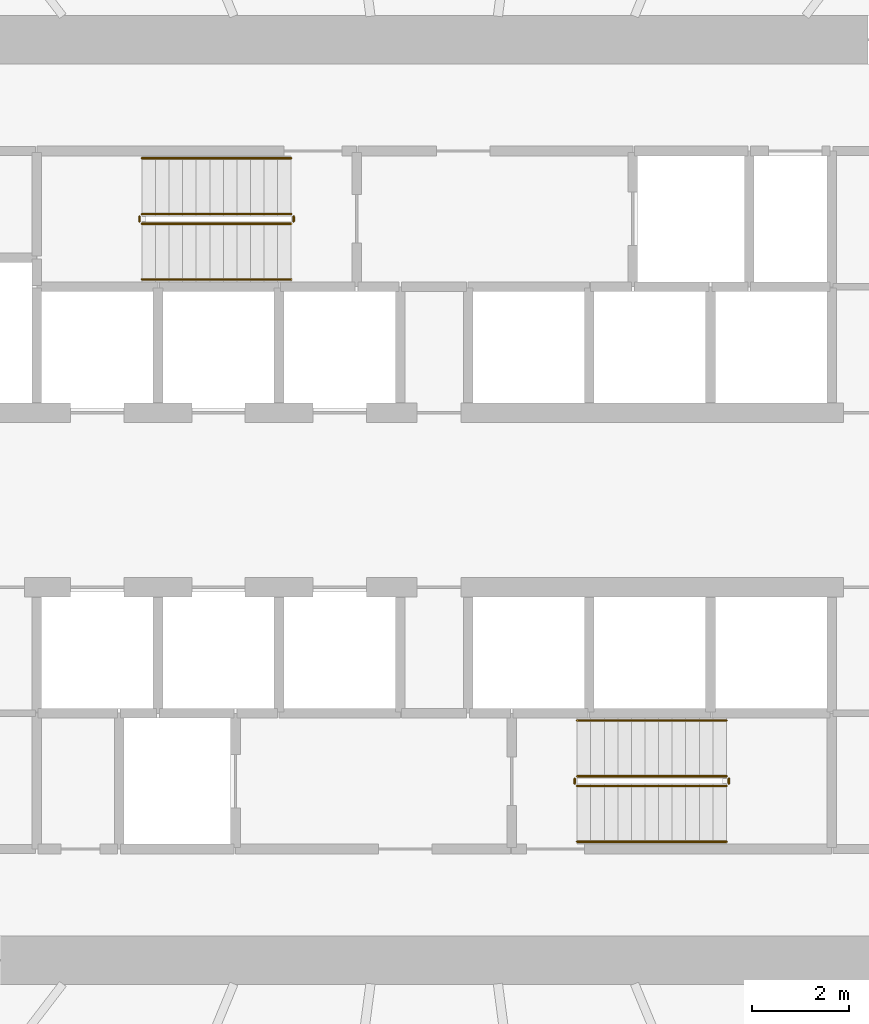
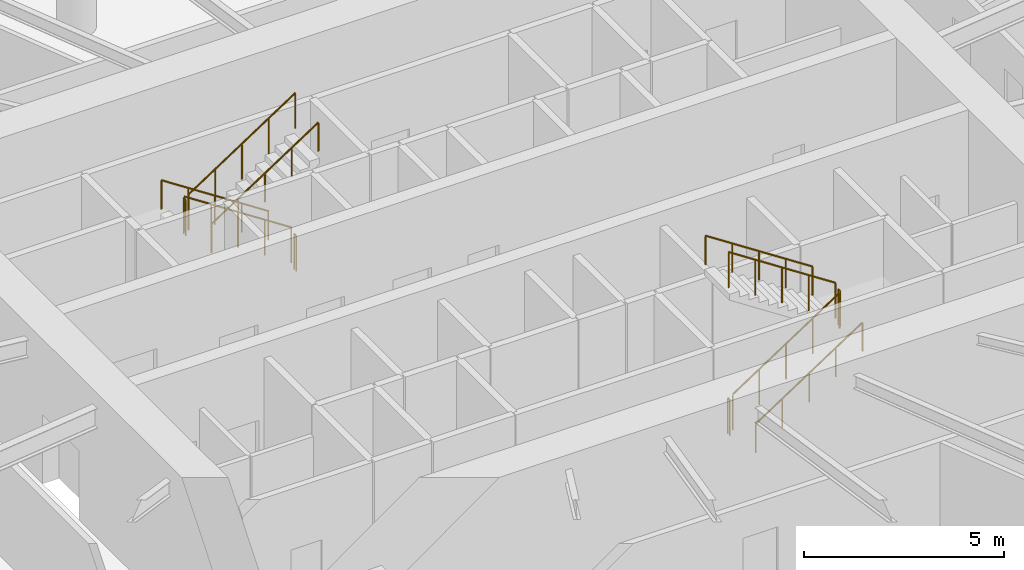
# One storey, part 18 of 19: 12 railings.
"""IFC4 building model written with IfcOpenShell, lengths in metres."""

from ifc_helpers import new_model, si_unit, direction, frame, origin, origin_2d, place, context, subcontext, project, spatial, circle, extrude, material, type_object, element, save


model = new_model("IFC4")

# Units and contexts
model_context = context("Model", 3, precision=1e-05, world=origin(), true_north=direction((0.0, 1.0)))
body_context = subcontext(model_context, "Body", "Model", "MODEL_VIEW")
ifc_project = project(units=[si_unit("LENGTHUNIT", "METRE"), si_unit("AREAUNIT", "SQUARE_METRE"), si_unit("VOLUMEUNIT", "CUBIC_METRE"), si_unit("PLANEANGLEUNIT", "RADIAN"), si_unit("MASSUNIT", "GRAM", prefix="KILO")], contexts=[model_context])

# Site, building, storey
site_placement = place(None, origin())
site = spatial("IfcSite", under=ifc_project, at=site_placement, CompositionType="ELEMENT")
building_placement = place(site_placement, origin())
building = spatial("IfcBuilding", under=site, at=building_placement, Name="Spindrift Exchange Tower", CompositionType="ELEMENT")
storey_placement = place(building_placement, frame((0.0, 0.0, 31.39990234375)))
storey = spatial("IfcBuildingStorey", under=building, at=storey_placement, Name="L07", CompositionType="ELEMENT", Elevation=31.39990234375)

# Railings
ifc_material_1 = material(Name="Steel balustrade", Category="steel")
railing_type_1 = type_object("IfcRailingType", Name="RL-STAIR-GUARD", PredefinedType="GUARDRAIL", material=ifc_material_1)
railing_1_placement = place(storey_placement, frame((49.050048828125, 53.89990234375, 0.183349609375)))
element("IfcRailing", 1, at=railing_1_placement, inside=storey, type_object=railing_type_1, Name="L07 ST1 stair guard 1", PredefinedType="GUARDRAIL", context=body_context, shape_type="SweptSolid", body=[
    extrude(circle(Radius=0.02392578125, at=origin_2d()), frame((0.0, 0.0, 1.076171875), z_axis=(-0.836602609513, 0.0, 0.547810253423), x_axis=(0.0, -1.0, 0.0)), (0.0, 0.0, 1.0), 3.681640625),
    extrude(circle(Radius=0.02099609375, at=origin_2d()), origin(), (0.0, 0.0, 1.0), 1.052001953125),
    extrude(circle(Radius=0.02099609375, at=origin_2d()), frame((-0.77001953125, 0.0, 0.504150390625)), (0.0, 0.0, 1.0), 1.052001953125),
    extrude(circle(Radius=0.02099609375, at=origin_2d()), frame((-1.5400390625, 0.0, 1.00830078125)), (0.0, 0.0, 1.0), 1.052001953125),
    extrude(circle(Radius=0.02099609375, at=origin_2d()), frame((-2.31005859375, 0.0, 1.5126953125)), (0.0, 0.0, 1.0), 1.052001953125),
    extrude(circle(Radius=0.02099609375, at=origin_2d()), frame((-3.080078125, 0.0, 2.016845703125)), (0.0, 0.0, 1.0), 1.052001953125),
])
railing_2_placement = place(storey_placement, frame((45.919921875, 53.85009765625, 2.2001953125)))
element("IfcRailing", 2, at=railing_2_placement, inside=storey, type_object=railing_type_1, Name="L07 ST1 stair guard 2", PredefinedType="GUARDRAIL", context=body_context, shape_type="SweptSolid", body=[
    extrude(circle(Radius=0.02392578125, at=origin_2d()), frame((0.0, 0.0, 1.076171875), z_axis=(0.0, -1.0, 0.0), x_axis=(1.0, 0.0, 0.0)), (0.0, 0.0, 1.0), 0.10009765625),
    extrude(circle(Radius=0.02099609375, at=origin_2d()), origin(), (0.0, 0.0, 1.0), 1.052001953125),
    extrude(circle(Radius=0.02099609375, at=origin_2d()), frame((0.0, -0.10009765625, 0.0)), (0.0, 0.0, 1.0), 1.052001953125),
])
railing_3_placement = place(storey_placement, frame((45.969970703125, 53.699951171875, 2.383544921875)))
element("IfcRailing", 3, at=railing_3_placement, inside=storey, type_object=railing_type_1, Name="L07 ST1 stair guard 3", PredefinedType="GUARDRAIL", context=body_context, shape_type="SweptSolid", body=[
    extrude(circle(Radius=0.02392578125, at=origin_2d()), frame((0.0, 0.0, 1.076171875), z_axis=(0.836633000464, 0.0, 0.547763838287), x_axis=(0.0, 1.0, 0.0)), (0.0, 0.0, 1.0), 3.681396484375),
    extrude(circle(Radius=0.02099609375, at=origin_2d()), origin(), (0.0, 0.0, 1.0), 1.052001953125),
    extrude(circle(Radius=0.02099609375, at=origin_2d()), frame((0.77001953125, 0.0, 0.504150390625)), (0.0, 0.0, 1.0), 1.052001953125),
    extrude(circle(Radius=0.02099609375, at=origin_2d()), frame((1.5400390625, 0.0, 1.00830078125)), (0.0, 0.0, 1.0), 1.052001953125),
    extrude(circle(Radius=0.02099609375, at=origin_2d()), frame((2.31005859375, 0.0, 1.512451171875)), (0.0, 0.0, 1.0), 1.052001953125),
    extrude(circle(Radius=0.02099609375, at=origin_2d()), frame((3.080078125, 0.0, 2.0166015625)), (0.0, 0.0, 1.0), 1.052001953125),
])
railing_4_placement = place(storey_placement, frame((49.10009765625, 53.85009765625, 0.0)))
element("IfcRailing", 4, at=railing_4_placement, inside=storey, type_object=railing_type_1, Name="L07 ST1 stair guard 4", PredefinedType="GUARDRAIL", context=body_context, shape_type="SweptSolid", body=[
    extrude(circle(Radius=0.02392578125, at=origin_2d()), frame((0.0, 0.0, 1.076171875), z_axis=(0.0, -1.0, 0.0), x_axis=(1.0, 0.0, 0.0)), (0.0, 0.0, 1.0), 0.10009765625),
    extrude(circle(Radius=0.02099609375, at=origin_2d()), origin(), (0.0, 0.0, 1.0), 1.052001953125),
    extrude(circle(Radius=0.02099609375, at=origin_2d()), frame((0.0, -0.10009765625, 0.0)), (0.0, 0.0, 1.0), 1.052001953125),
])
railing_5_placement = place(storey_placement, frame((54.949951171875, 42.10009765625, 0.183349609375)))
element("IfcRailing", 5, at=railing_5_placement, inside=storey, type_object=railing_type_1, Name="L07 ST2 stair guard 1", PredefinedType="GUARDRAIL", context=body_context, shape_type="SweptSolid", body=[
    extrude(circle(Radius=0.02392578125, at=origin_2d()), frame((0.0, 0.0, 1.076171875), z_axis=(0.836602609513, 0.0, 0.547810253423), x_axis=(0.0, 1.0, 0.0)), (0.0, 0.0, 1.0), 3.681640625),
    extrude(circle(Radius=0.02099609375, at=origin_2d()), origin(), (0.0, 0.0, 1.0), 1.052001953125),
    extrude(circle(Radius=0.02099609375, at=origin_2d()), frame((0.77001953125, 0.0, 0.504150390625)), (0.0, 0.0, 1.0), 1.052001953125),
    extrude(circle(Radius=0.02099609375, at=origin_2d()), frame((1.5400390625, 0.0, 1.00830078125)), (0.0, 0.0, 1.0), 1.052001953125),
    extrude(circle(Radius=0.02099609375, at=origin_2d()), frame((2.31005859375, 0.0, 1.5126953125)), (0.0, 0.0, 1.0), 1.052001953125),
    extrude(circle(Radius=0.02099609375, at=origin_2d()), frame((3.080078125, 0.0, 2.016845703125)), (0.0, 0.0, 1.0), 1.052001953125),
])
railing_6_placement = place(storey_placement, frame((58.080078125, 42.14990234375, 2.2001953125)))
element("IfcRailing", 6, at=railing_6_placement, inside=storey, type_object=railing_type_1, Name="L07 ST2 stair guard 2", PredefinedType="GUARDRAIL", context=body_context, shape_type="SweptSolid", body=[
    extrude(circle(Radius=0.02392578125, at=origin_2d()), frame((0.0, 0.0, 1.076171875), z_axis=(0.0, 1.0, 0.0), x_axis=(-1.0, 0.0, 0.0)), (0.0, 0.0, 1.0), 0.10009765625),
    extrude(circle(Radius=0.02099609375, at=origin_2d()), origin(), (0.0, 0.0, 1.0), 1.052001953125),
    extrude(circle(Radius=0.02099609375, at=origin_2d()), frame((0.0, 0.10009765625, 0.0)), (0.0, 0.0, 1.0), 1.052001953125),
])
railing_7_placement = place(storey_placement, frame((58.030029296875, 42.300048828125, 2.383544921875)))
element("IfcRailing", 7, at=railing_7_placement, inside=storey, type_object=railing_type_1, Name="L07 ST2 stair guard 3", PredefinedType="GUARDRAIL", context=body_context, shape_type="SweptSolid", body=[
    extrude(circle(Radius=0.02392578125, at=origin_2d()), frame((0.0, 0.0, 1.076171875), z_axis=(-0.836633000464, 0.0, 0.547763838287), x_axis=(0.0, -1.0, 0.0)), (0.0, 0.0, 1.0), 3.681396484375),
    extrude(circle(Radius=0.02099609375, at=origin_2d()), origin(), (0.0, 0.0, 1.0), 1.052001953125),
    extrude(circle(Radius=0.02099609375, at=origin_2d()), frame((-0.77001953125, 0.0, 0.504150390625)), (0.0, 0.0, 1.0), 1.052001953125),
    extrude(circle(Radius=0.02099609375, at=origin_2d()), frame((-1.5400390625, 0.0, 1.00830078125)), (0.0, 0.0, 1.0), 1.052001953125),
    extrude(circle(Radius=0.02099609375, at=origin_2d()), frame((-2.31005859375, 0.0, 1.512451171875)), (0.0, 0.0, 1.0), 1.052001953125),
    extrude(circle(Radius=0.02099609375, at=origin_2d()), frame((-3.080078125, 0.0, 2.0166015625)), (0.0, 0.0, 1.0), 1.052001953125),
])
railing_8_placement = place(storey_placement, frame((54.89990234375, 42.14990234375, 0.0)))
element("IfcRailing", 8, at=railing_8_placement, inside=storey, type_object=railing_type_1, Name="L07 ST2 stair guard 4", PredefinedType="GUARDRAIL", context=body_context, shape_type="SweptSolid", body=[
    extrude(circle(Radius=0.02392578125, at=origin_2d()), frame((0.0, 0.0, 1.076171875), z_axis=(0.0, 1.0, 0.0), x_axis=(-1.0, 0.0, 0.0)), (0.0, 0.0, 1.0), 0.10009765625),
    extrude(circle(Radius=0.02099609375, at=origin_2d()), origin(), (0.0, 0.0, 1.0), 1.052001953125),
    extrude(circle(Radius=0.02099609375, at=origin_2d()), frame((0.0, 0.10009765625, 0.0)), (0.0, 0.0, 1.0), 1.052001953125),
])
ifc_material_2 = material(Name="Steel tubular handrail", Category="steel")
railing_type_2 = type_object("IfcRailingType", Name="RL-STAIR-HAND", PredefinedType="HANDRAIL", material=ifc_material_2)
railing_9_placement = place(storey_placement, frame((49.050048828125, 55.050048828125, 0.183349609375)))
element("IfcRailing", 9, at=railing_9_placement, inside=storey, type_object=railing_type_2, Name="L07 ST1 stair handrail 1", PredefinedType="HANDRAIL", context=body_context, shape_type="SweptSolid", body=[
    extrude(circle(Radius=0.02392578125, at=origin_2d()), frame((0.0, 0.0, 0.8759765625), z_axis=(-0.836602609513, 0.0, 0.547810253423), x_axis=(0.0, -1.0, 0.0)), (0.0, 0.0, 1.0), 3.681640625),
    extrude(circle(Radius=0.02099609375, at=origin_2d()), origin(), (0.0, 0.0, 1.0), 0.851806640625),
    extrude(circle(Radius=0.02099609375, at=origin_2d()), frame((-0.77001953125, 0.0, 0.504150390625)), (0.0, 0.0, 1.0), 0.851806640625),
    extrude(circle(Radius=0.02099609375, at=origin_2d()), frame((-1.5400390625, 0.0, 1.00830078125)), (0.0, 0.0, 1.0), 0.851806640625),
    extrude(circle(Radius=0.02099609375, at=origin_2d()), frame((-2.31005859375, 0.0, 1.5126953125)), (0.0, 0.0, 1.0), 0.851806640625),
    extrude(circle(Radius=0.02099609375, at=origin_2d()), frame((-3.080078125, 0.0, 2.016845703125)), (0.0, 0.0, 1.0), 0.851806640625),
])
railing_10_placement = place(storey_placement, frame((45.969970703125, 52.550048828125, 2.383544921875)))
element("IfcRailing", 10, at=railing_10_placement, inside=storey, type_object=railing_type_2, Name="L07 ST1 stair handrail 2", PredefinedType="HANDRAIL", context=body_context, shape_type="SweptSolid", body=[
    extrude(circle(Radius=0.02392578125, at=origin_2d()), frame((0.0, 0.0, 0.8759765625), z_axis=(0.836633000464, 0.0, 0.547763838287), x_axis=(0.0, 1.0, 0.0)), (0.0, 0.0, 1.0), 3.681396484375),
    extrude(circle(Radius=0.02099609375, at=origin_2d()), origin(), (0.0, 0.0, 1.0), 0.851806640625),
    extrude(circle(Radius=0.02099609375, at=origin_2d()), frame((0.77001953125, 0.0, 0.504150390625)), (0.0, 0.0, 1.0), 0.851806640625),
    extrude(circle(Radius=0.02099609375, at=origin_2d()), frame((1.5400390625, 0.0, 1.00830078125)), (0.0, 0.0, 1.0), 0.851806640625),
    extrude(circle(Radius=0.02099609375, at=origin_2d()), frame((2.31005859375, 0.0, 1.512451171875)), (0.0, 0.0, 1.0), 0.851806640625),
    extrude(circle(Radius=0.02099609375, at=origin_2d()), frame((3.080078125, 0.0, 2.0166015625)), (0.0, 0.0, 1.0), 0.851806640625),
])
railing_11_placement = place(storey_placement, frame((54.949951171875, 40.949951171875, 0.183349609375)))
element("IfcRailing", 11, at=railing_11_placement, inside=storey, type_object=railing_type_2, Name="L07 ST2 stair handrail 1", PredefinedType="HANDRAIL", context=body_context, shape_type="SweptSolid", body=[
    extrude(circle(Radius=0.02392578125, at=origin_2d()), frame((0.0, 0.0, 0.8759765625), z_axis=(0.836602609513, 0.0, 0.547810253423), x_axis=(0.0, 1.0, 0.0)), (0.0, 0.0, 1.0), 3.681640625),
    extrude(circle(Radius=0.02099609375, at=origin_2d()), origin(), (0.0, 0.0, 1.0), 0.851806640625),
    extrude(circle(Radius=0.02099609375, at=origin_2d()), frame((0.77001953125, 0.0, 0.504150390625)), (0.0, 0.0, 1.0), 0.851806640625),
    extrude(circle(Radius=0.02099609375, at=origin_2d()), frame((1.5400390625, 0.0, 1.00830078125)), (0.0, 0.0, 1.0), 0.851806640625),
    extrude(circle(Radius=0.02099609375, at=origin_2d()), frame((2.31005859375, 0.0, 1.5126953125)), (0.0, 0.0, 1.0), 0.851806640625),
    extrude(circle(Radius=0.02099609375, at=origin_2d()), frame((3.080078125, 0.0, 2.016845703125)), (0.0, 0.0, 1.0), 0.851806640625),
])
railing_12_placement = place(storey_placement, frame((58.030029296875, 43.449951171875, 2.383544921875)))
element("IfcRailing", 12, at=railing_12_placement, inside=storey, type_object=railing_type_2, Name="L07 ST2 stair handrail 2", PredefinedType="HANDRAIL", context=body_context, shape_type="SweptSolid", body=[
    extrude(circle(Radius=0.02392578125, at=origin_2d()), frame((0.0, 0.0, 0.8759765625), z_axis=(-0.836633000464, 0.0, 0.547763838287), x_axis=(0.0, -1.0, 0.0)), (0.0, 0.0, 1.0), 3.681396484375),
    extrude(circle(Radius=0.02099609375, at=origin_2d()), origin(), (0.0, 0.0, 1.0), 0.851806640625),
    extrude(circle(Radius=0.02099609375, at=origin_2d()), frame((-0.77001953125, 0.0, 0.504150390625)), (0.0, 0.0, 1.0), 0.851806640625),
    extrude(circle(Radius=0.02099609375, at=origin_2d()), frame((-1.5400390625, 0.0, 1.00830078125)), (0.0, 0.0, 1.0), 0.851806640625),
    extrude(circle(Radius=0.02099609375, at=origin_2d()), frame((-2.31005859375, 0.0, 1.512451171875)), (0.0, 0.0, 1.0), 0.851806640625),
    extrude(circle(Radius=0.02099609375, at=origin_2d()), frame((-3.080078125, 0.0, 2.0166015625)), (0.0, 0.0, 1.0), 0.851806640625),
])

save(model, "model.ifc")
